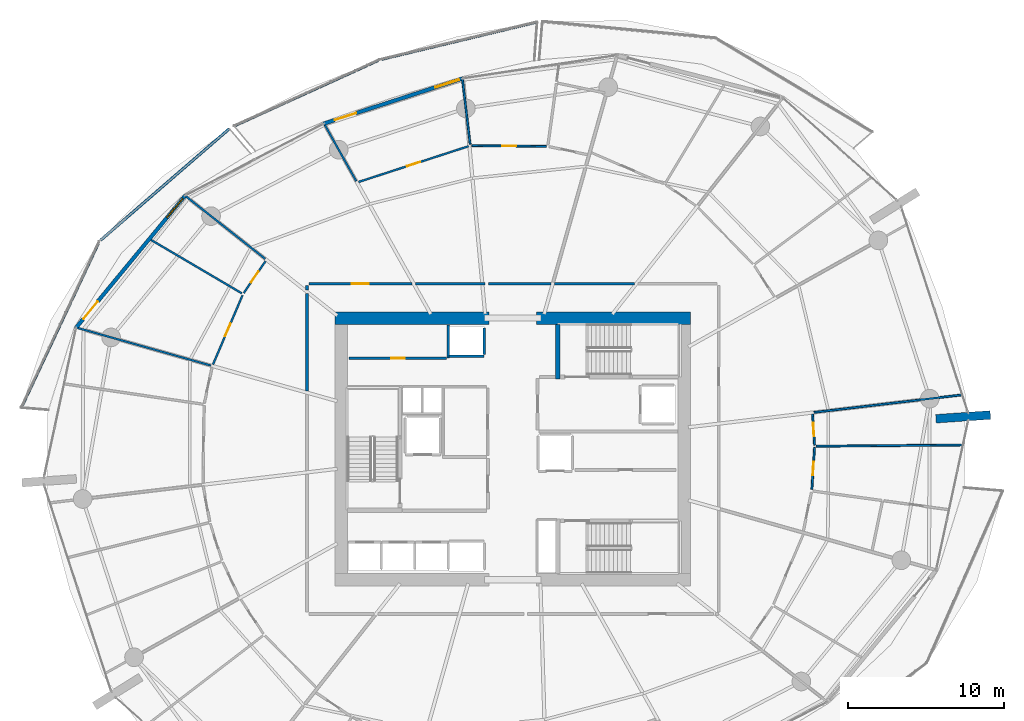
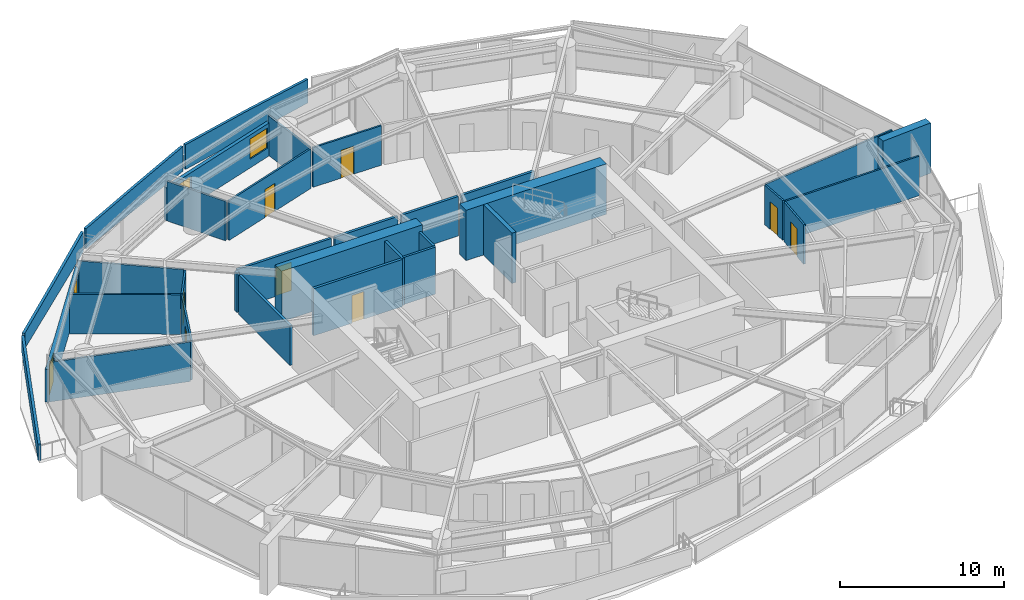
# One storey, part 14 of 22: 33 walls, 10 doors, 2 windows, 12 openings.
"""IFC4 building model written with IfcOpenShell, lengths in metres."""

from ifc_helpers import new_model, si_unit, direction, frame, frame_2d, origin, place, context, subcontext, project, spatial, polyline, rectangle, outline, extrude, material, layer, layer_set, type_object, element, fill, save


model = new_model("IFC4")

# Units and contexts
model_context = context("Model", 3, precision=1e-05, world=origin(), true_north=direction((0.0, 1.0)))
body_context = subcontext(model_context, "Body", "Model", "MODEL_VIEW")
ifc_project = project(units=[si_unit("LENGTHUNIT", "METRE"), si_unit("AREAUNIT", "SQUARE_METRE"), si_unit("VOLUMEUNIT", "CUBIC_METRE"), si_unit("PLANEANGLEUNIT", "RADIAN"), si_unit("MASSUNIT", "GRAM", prefix="KILO")], contexts=[model_context])

# Site, building, storey
site_placement = place(None, origin())
site = spatial("IfcSite", under=ifc_project, at=site_placement, CompositionType="ELEMENT")
building_placement = place(site_placement, origin())
building = spatial("IfcBuilding", under=site, at=building_placement, Name="Kazma Halo Residences", CompositionType="ELEMENT")
storey_placement = place(building_placement, frame((0.0, 0.0, 90.14990234375)))
storey = spatial("IfcBuildingStorey", under=building, at=storey_placement, Name="L22", CompositionType="ELEMENT", Elevation=90.14990234375)

# Walls
ifc_material_1 = material(Name="White Concrete C50/60 Balustrade", Category="concrete")
ifc_layer_1 = layer(ifc_material_1, 0.179931640625)
ifc_layer_set_1 = layer_set([ifc_layer_1], Name="White Concrete C50/60 Balustrade")
wall_type_1 = type_object("IfcWallType", Name="WL-BAL-WAVE-180", PredefinedType="PARAPET", material=ifc_layer_set_1)
wall_1_placement = place(storey_placement, frame((49.989501953125, 69.418701171875, 0.0), z_axis=(0.0, 0.0, 1.0), x_axis=(-0.972484896486, -0.232965933359, 0.0)))
element("IfcWall", 1, at=wall_1_placement, inside=storey, type_object=wall_type_1, Name="L22 white wave balustrade wall NNW.1", PredefinedType="PARAPET", context=body_context, shape_type="SweptSolid", body=[
    extrude(outline(polyline([(0.0, 0.0), (10.27734375, 0.0), (10.27734375, 1.83203125), (5.138671875, 1.85302734375), (0.0, 1.756103515625), (0.0, 0.0)])), frame((0.0, 0.08984375, 0.0), z_axis=(0.0, -1.0, 0.0), x_axis=(1.0, 0.0, 0.0)), (0.0, 0.0, 1.0), 0.179931640625),
])
wall_2_placement = place(storey_placement, frame((39.76904296875, 66.946533203125, 0.0), z_axis=(0.0, 0.0, 1.0), x_axis=(-0.910226702808, -0.41411031078, 0.0)))
element("IfcWall", 2, at=wall_2_placement, inside=storey, type_object=wall_type_1, Name="L22 white wave balustrade wall NNW.2", PredefinedType="PARAPET", context=body_context, shape_type="SweptSolid", body=[
    extrude(outline(polyline([(0.0, 0.0), (10.1728515625, 0.0), (10.1728515625, 1.4970703125), (5.08642578125, 1.696044921875), (0.0, 1.83203125), (0.0, 0.0)])), frame((0.0, 0.08984375, 0.0), z_axis=(0.0, -1.0, 0.0), x_axis=(1.0, 0.0, 0.0)), (0.0, 0.0, 1.0), 0.179931640625),
])
wall_3_placement = place(storey_placement, frame((30.220458984375, 62.5615234375, 0.0), z_axis=(0.0, 0.0, 1.0), x_axis=(-0.756090126882, -0.654467508766, 0.0)))
element("IfcWall", 3, at=wall_3_placement, inside=storey, type_object=wall_type_1, Name="L22 white wave balustrade wall NW.1", PredefinedType="PARAPET", context=body_context, shape_type="SweptSolid", body=[
    extrude(outline(polyline([(0.0, 0.0), (10.943115234375, 0.0), (10.943115234375, 1.148193359375), (5.471435546875, 1.2841796875), (0.0, 1.483154296875), (0.0, 0.0)])), frame((0.0, 0.08984375, 0.0), z_axis=(0.0, -1.0, 0.0), x_axis=(1.0, 0.0, 0.0)), (0.0, 0.0, 1.0), 0.179931640625),
])
wall_4_placement = place(storey_placement, frame((21.804931640625, 55.21240234375, 0.0), z_axis=(0.0, 0.0, 1.0), x_axis=(-0.424200741769, -0.905568181134, 0.0)))
element("IfcWall", 4, at=wall_4_placement, inside=storey, type_object=wall_type_1, Name="L22 white wave balustrade wall NW.2", PredefinedType="PARAPET", context=body_context, shape_type="SweptSolid", body=[
    extrude(outline(polyline([(0.0, 0.0), (11.671875, 0.0), (11.671875, 1.22412109375), (5.8359375, 1.127197265625), (0.0, 1.148193359375), (0.0, 0.0)])), frame((0.0, 0.08984375, 0.0), z_axis=(0.0, -1.0, 0.0), x_axis=(1.0, 0.0, 0.0)), (0.0, 0.0, 1.0), 0.179931640625),
])
ifc_material_2 = material(Name="Pale Concrete C60/75", Category="concrete")
ifc_layer_2 = layer(ifc_material_2, 0.550048828125)
ifc_layer_set_2 = layer_set([ifc_layer_2], Name="Pale Concrete C60/75")
wall_type_2 = type_object("IfcWallType", Name="WL-BLADE-550", PredefinedType="SOLIDWALL", material=ifc_layer_set_2)
wall_5_placement = place(storey_placement, frame((75.606201171875, 43.930419921875, 0.0), z_axis=(0.0, 0.0, 1.0), x_axis=(0.997564163539, 0.069754853754, 0.0)))
element("IfcWall", 5, at=wall_5_placement, inside=storey, type_object=wall_type_2, Name="L22 pale concrete structural blade fin wall BW-04", PredefinedType="SOLIDWALL", context=body_context, shape_type="SweptSolid", body=[
    extrude(rectangle(XDim=3.5, YDim=0.550048828125, at=frame_2d((1.75, 0.0))), origin(), (0.0, 0.0, 1.0), 3.75),
])
ifc_material_3 = material(Name="Concrete C80/95", Category="concrete")
ifc_layer_3 = layer(ifc_material_3, 0.800048828125)
ifc_layer_set_3 = layer_set([ifc_layer_3], Name="Concrete C80/95")
wall_type_3 = type_object("IfcWallType", Name="WL-CORE-800", PredefinedType="SHEAR", material=ifc_layer_set_3)
wall_6_placement = place(storey_placement, frame((37.0, 50.39990234375, 0.0), z_axis=(0.0, 0.0, 1.0), x_axis=(1.0, 0.0, 0.0)))
element("IfcWall", 6, at=wall_6_placement, inside=storey, type_object=wall_type_3, Name="L22 central core shear wall NW", PredefinedType="SHEAR", context=body_context, shape_type="SweptSolid", body=[
    extrude(rectangle(XDim=9.89990234375, YDim=0.800048828125, at=frame_2d((4.949951171875, 0.0))), origin(), (0.0, 0.0, 1.0), 3.75),
])
wall_7_placement = place(storey_placement, frame((49.949951171875, 50.39990234375, 0.0), z_axis=(0.0, 0.0, 1.0), x_axis=(1.0, 0.0, 0.0)))
element("IfcWall", 7, at=wall_7_placement, inside=storey, type_object=wall_type_3, Name="L22 central core shear wall NE", PredefinedType="SHEAR", context=body_context, shape_type="SweptSolid", body=[
    extrude(rectangle(XDim=9.900146484375, YDim=0.800048828125, at=frame_2d((4.9501953125, 0.0))), origin(), (0.0, 0.0, 1.0), 3.75),
])
ifc_material_4 = material(Name="Concrete C60/75", Category="concrete")
ifc_layer_4 = layer(ifc_material_4, 0.280029296875)
ifc_layer_set_4 = layer_set([ifc_layer_4], Name="Concrete C60/75")
wall_type_4 = type_object("IfcWallType", Name="WL-CORE-ST-280", PredefinedType="SHEAR", material=ifc_layer_set_4)
wall_8_placement = place(storey_placement, frame((51.31005859375, 46.5, 0.0), z_axis=(0.0, 0.0, 1.0), x_axis=(0.0, 1.0, 0.0)))
element("IfcWall", 8, at=wall_8_placement, inside=storey, type_object=wall_type_4, Name="L22 stairwell bearing wall ST02-W", PredefinedType="SHEAR", context=body_context, shape_type="SweptSolid", body=[
    extrude(rectangle(XDim=3.5, YDim=0.280029296875, at=frame_2d((1.75, 0.0))), origin(), (0.0, 0.0, 1.0), 3.75),
])

# Wall, opening, door
ifc_material_5 = material(Name="Acoustic Twin-Stud Gypsum")
ifc_layer_5 = layer(ifc_material_5, 0.179931640625)
ifc_layer_set_5 = layer_set([ifc_layer_5], Name="Acoustic Twin-Stud Gypsum")
wall_type_5 = type_object("IfcWallType", Name="WL-DEM-180", PredefinedType="PARTITIONING", material=ifc_layer_set_5)
wall_9_placement = place(storey_placement, frame((41.943603515625, 52.60009765625, 0.0), z_axis=(0.0, 0.0, 1.0), x_axis=(-1.0, 0.0, 0.0)))
wall_9 = element("IfcWall", 9, at=wall_9_placement, inside=storey, type_object=wall_type_5, Name="L22 Apartment 1 entrance corridor wall", PredefinedType="PARTITIONING", context=body_context, shape_type="SweptSolid", body=[
    extrude(rectangle(XDim=6.62353515625, YDim=0.179931640625, at=frame_2d((3.311767578125, 0.0))), origin(), (0.0, 0.0, 1.0), 2.940185546875),
])
opening_1_placement = place(wall_9_placement, frame((2.76171875, 0.0, 0.0)))
opening_1 = element("IfcOpeningElement", 10, at=opening_1_placement, cuts=wall_9, Name="Opening DA-1100", PredefinedType="OPENING", context=body_context, shape_type="SweptSolid", body=[
    extrude(rectangle(XDim=1.10009765625, YDim=2.10009765625, at=frame_2d((0.550048828125, 1.050048828125))), frame((0.0, 0.099853515625, 0.0), z_axis=(0.0, -1.0, 0.0), x_axis=(1.0, 0.0, 0.0)), (0.0, 0.0, 1.0), 0.199951171875),
])
ifc_material_6 = material(Name="Acoustic Walnut Fire Leaf")
door_type_1 = type_object("IfcDoorType", Name="DR-FD60-1100", OperationType="NOTDEFINED", PredefinedType="DOOR", material=ifc_material_6)
door_1_placement = place(opening_1_placement, origin())
door_1 = element("IfcDoor", 11, at=door_1_placement, inside=storey, type_object=door_type_1, Name="L22 Apartment 1 entrance fire door", OperationType="SINGLE_SWING_RIGHT", OverallHeight=2.10009765625, OverallWidth=1.10009765625, PredefinedType="DOOR", context=body_context, shape_type="SweptSolid", body=[
    extrude(rectangle(XDim=1.10009765625, YDim=2.10009765625, at=frame_2d((0.550048828125, 1.050048828125))), frame((0.0, 0.02490234375, 0.0), z_axis=(0.0, -1.0, 0.0), x_axis=(1.0, 0.0, 0.0)), (0.0, 0.0, 1.0), 0.050048828125),
])
fill(opening_1, door_1)

# Walls
wall_10_placement = place(storey_placement, frame((35.199951171875, 52.47998046875, 0.0), z_axis=(0.0, 0.0, 1.0), x_axis=(0.0, -1.0, 0.0)))
element("IfcWall", 12, at=wall_10_placement, inside=storey, type_object=wall_type_5, Name="L22 Apartment 1 entrance corridor wall", PredefinedType="PARTITIONING", context=body_context, shape_type="SweptSolid", body=[
    extrude(rectangle(XDim=0.269287109375, YDim=0.179931640625, at=frame_2d((0.134765625, 0.0))), origin(), (0.0, 0.0, 1.0), 2.940185546875),
])
wall_11_placement = place(storey_placement, frame((50.869384765625, 52.60009765625, 0.0), z_axis=(0.0, 0.0, 1.0), x_axis=(-1.0, 0.0, 0.0)))
element("IfcWall", 13, at=wall_11_placement, inside=storey, type_object=wall_type_5, Name="L22 Apartment 1 inner wall 2", PredefinedType="PARTITIONING", context=body_context, shape_type="SweptSolid", body=[
    extrude(rectangle(XDim=4.00390625, YDim=0.179931640625, at=frame_2d((2.001953125, 0.0))), origin(), (0.0, 0.0, 1.0), 2.940185546875),
])
wall_12_placement = place(storey_placement, frame((46.62548828125, 52.60009765625, 0.0), z_axis=(0.0, 0.0, 1.0), x_axis=(-1.0, 0.0, 0.0)))
element("IfcWall", 14, at=wall_12_placement, inside=storey, type_object=wall_type_5, Name="L22 Apartment 1 inner wall 3", PredefinedType="PARTITIONING", context=body_context, shape_type="SweptSolid", body=[
    extrude(rectangle(XDim=4.44189453125, YDim=0.179931640625, at=frame_2d((2.220947265625, 0.0))), origin(), (0.0, 0.0, 1.0), 2.940185546875),
])
wall_13_placement = place(storey_placement, frame((35.199951171875, 51.970703125, 0.0), z_axis=(0.0, 0.0, 1.0), x_axis=(0.0, -1.0, 0.0)))
element("IfcWall", 15, at=wall_13_placement, inside=storey, type_object=wall_type_5, Name="L22 Apartment 1 inner wall 5", PredefinedType="PARTITIONING", context=body_context, shape_type="SweptSolid", body=[
    extrude(rectangle(XDim=6.24072265625, YDim=0.179931640625, at=frame_2d((3.120361328125, 0.0))), origin(), (0.0, 0.0, 1.0), 2.940185546875),
])
wall_14_placement = place(storey_placement, frame((56.236328125, 52.60009765625, 0.0), z_axis=(0.0, 0.0, 1.0), x_axis=(-1.0, 0.0, 0.0)))
element("IfcWall", 16, at=wall_14_placement, inside=storey, type_object=wall_type_5, Name="L22 Apartment 3 inner wall 1", PredefinedType="PARTITIONING", context=body_context, shape_type="SweptSolid", body=[
    extrude(rectangle(XDim=5.126708984375, YDim=0.179931640625, at=frame_2d((2.5634765625, 0.0))), origin(), (0.0, 0.0, 1.0), 2.940185546875),
])

# Wall, openings, door, window
ifc_material_7 = material(Name="Insulated Pale-Metal Composite Wall")
ifc_layer_6 = layer(ifc_material_7, 0.239990234375)
ifc_layer_set_6 = layer_set([ifc_layer_6], Name="Insulated Pale-Metal Composite Wall")
wall_type_6 = type_object("IfcWallType", Name="WL-EXT-HOST-240", PredefinedType="SOLIDWALL", material=ifc_layer_set_6)
wall_15_placement = place(storey_placement, frame((45.23291015625, 65.797119140625, 0.0), z_axis=(0.0, 0.0, 1.0), x_axis=(-0.951052494852, -0.30902937083, 0.0)))
wall_15 = element("IfcWall", 17, at=wall_15_placement, inside=storey, type_object=wall_type_6, Name="L22 exterior terrace-access wall B04", PredefinedType="SOLIDWALL", context=body_context, shape_type="SweptSolid", body=[
    extrude(rectangle(XDim=9.44384765625, YDim=0.239990234375, at=frame_2d((4.721923828125, 0.0))), origin(), (0.0, 0.0, 1.0), 2.4501953125),
])
opening_2_placement = place(wall_15_placement, frame((7.223876953125, 0.0, 0.0)))
opening_2 = element("IfcOpeningElement", 18, at=opening_2_placement, cuts=wall_15, Name="Opening DTR-1600", PredefinedType="OPENING", context=body_context, shape_type="SweptSolid", body=[
    extrude(rectangle(XDim=1.449951171875, YDim=2.14990234375, at=frame_2d((0.72509765625, 1.074951171875))), frame((0.0, 0.1298828125, 0.0), z_axis=(0.0, -1.0, 0.0), x_axis=(1.0, 0.0, 0.0)), (0.0, 0.0, 1.0), 0.260009765625),
])
opening_3_placement = place(wall_15_placement, frame((0.280029296875, 0.0, 0.64990234375)))
opening_3 = element("IfcOpeningElement", 19, at=opening_3_placement, cuts=wall_15, Name="Opening W-1800", PredefinedType="OPENING", context=body_context, shape_type="SweptSolid", body=[
    extrude(rectangle(XDim=1.60009765625, YDim=1.5, at=frame_2d((0.800048828125, 0.75))), frame((0.0, 0.1298828125, 0.0), z_axis=(0.0, -1.0, 0.0), x_axis=(1.0, 0.0, 0.0)), (0.0, 0.0, 1.0), 0.260009765625),
])
ifc_material_8 = material(Name="Aluminium AW-6063 T6 Double-Glazed Terrace Door", Category="aluminium")
door_type_2 = type_object("IfcDoorType", Name="DR-EXT-TERR-1600", OperationType="NOTDEFINED", PredefinedType="DOOR", material=ifc_material_8)
door_2_placement = place(opening_2_placement, origin())
door_2 = element("IfcDoor", 20, at=door_2_placement, inside=storey, type_object=door_type_2, Name="L22 B04 balcony terrace door", OperationType="DOUBLE_DOOR_SLIDING", OverallHeight=2.14990234375, OverallWidth=1.449951171875, PredefinedType="DOOR", context=body_context, shape_type="SweptSolid", body=[
    extrude(rectangle(XDim=1.449951171875, YDim=2.14990234375, at=frame_2d((0.72509765625, 1.074951171875))), frame((0.0, 0.02490234375, 0.0), z_axis=(0.0, -1.0, 0.0), x_axis=(1.0, 0.0, 0.0)), (0.0, 0.0, 1.0), 0.050048828125),
])
fill(opening_2, door_2)
ifc_material_9 = material(Name="Clear Triple-Silver Low-E Glass in Aluminium AW-6063 T6 Frame", Category="aluminium")
window_type = type_object("IfcWindowType", Name="WIN-RES-1800", PartitioningType="DOUBLE_PANEL_VERTICAL", PredefinedType="WINDOW", material=ifc_material_9)
window_1_placement = place(opening_3_placement, origin())
window_1 = element("IfcWindow", 21, at=window_1_placement, inside=storey, type_object=window_type, Name="L22 B04 apartment window", OverallHeight=1.5, OverallWidth=1.60009765625, PartitioningType="SINGLE_PANEL", PredefinedType="WINDOW", context=body_context, shape_type="SweptSolid", body=[
    extrude(rectangle(XDim=1.60009765625, YDim=1.5, at=frame_2d((0.800048828125, 0.75))), frame((0.0, 0.030029296875, 0.0), z_axis=(0.0, -1.0, 0.0), x_axis=(1.0, 0.0, 0.0)), (0.0, 0.0, 1.0), 0.06005859375),
])
fill(opening_3, window_1)

wall_16_placement = place(storey_placement, frame((27.406982421875, 58.2978515625, 0.0), z_axis=(0.0, 0.0, 1.0), x_axis=(-0.636704975, -0.771107498868, 0.0)))
wall_16 = element("IfcWall", 22, at=wall_16_placement, inside=storey, type_object=wall_type_6, Name="L22 exterior terrace-access wall B06", PredefinedType="SOLIDWALL", context=body_context, shape_type="SweptSolid", body=[
    extrude(rectangle(XDim=11.084228515625, YDim=0.239990234375, at=frame_2d((5.5419921875, 0.0))), origin(), (0.0, 0.0, 1.0), 2.4501953125),
])
opening_4_placement = place(wall_16_placement, frame((8.8642578125, 0.0, 0.0)))
opening_4 = element("IfcOpeningElement", 23, at=opening_4_placement, cuts=wall_16, Name="Opening DTR-1600", PredefinedType="OPENING", context=body_context, shape_type="SweptSolid", body=[
    extrude(rectangle(XDim=1.449951171875, YDim=2.14990234375, at=frame_2d((0.72509765625, 1.074951171875))), frame((0.0, 0.1298828125, 0.0), z_axis=(0.0, -1.0, 0.0), x_axis=(1.0, 0.0, 0.0)), (0.0, 0.0, 1.0), 0.260009765625),
])
opening_5_placement = place(wall_16_placement, frame((0.280029296875, 0.0, 0.64990234375)))
opening_5 = element("IfcOpeningElement", 24, at=opening_5_placement, cuts=wall_16, Name="Opening W-1800", PredefinedType="OPENING", context=body_context, shape_type="SweptSolid", body=[
    extrude(rectangle(XDim=1.60009765625, YDim=1.5, at=frame_2d((0.800048828125, 0.75))), frame((0.0, 0.1298828125, 0.0), z_axis=(0.0, -1.0, 0.0), x_axis=(1.0, 0.0, 0.0)), (0.0, 0.0, 1.0), 0.260009765625),
])
door_3_placement = place(opening_4_placement, origin())
door_3 = element("IfcDoor", 25, at=door_3_placement, inside=storey, type_object=door_type_2, Name="L22 B06 balcony terrace door", OperationType="DOUBLE_DOOR_SLIDING", OverallHeight=2.14990234375, OverallWidth=1.449951171875, PredefinedType="DOOR", context=body_context, shape_type="SweptSolid", body=[
    extrude(rectangle(XDim=1.449951171875, YDim=2.14990234375, at=frame_2d((0.72509765625, 1.074951171875))), frame((0.0, 0.02490234375, 0.0), z_axis=(0.0, -1.0, 0.0), x_axis=(1.0, 0.0, 0.0)), (0.0, 0.0, 1.0), 0.050048828125),
])
fill(opening_4, door_3)
window_2_placement = place(opening_5_placement, origin())
window_2 = element("IfcWindow", 26, at=window_2_placement, inside=storey, type_object=window_type, Name="L22 B06 apartment window", OverallHeight=1.5, OverallWidth=1.60009765625, PartitioningType="SINGLE_PANEL", PredefinedType="WINDOW", context=body_context, shape_type="SweptSolid", body=[
    extrude(rectangle(XDim=1.60009765625, YDim=1.5, at=frame_2d((0.800048828125, 0.75))), frame((0.0, 0.030029296875, 0.0), z_axis=(0.0, -1.0, 0.0), x_axis=(1.0, 0.0, 0.0)), (0.0, 0.0, 1.0), 0.06005859375),
])
fill(opening_5, window_2)

# Walls
ifc_material_10 = material(Name="Fire-Rated Blockwork Masonry", Category="masonry")
ifc_layer_7 = layer(ifc_material_10, 0.199951171875)
ifc_layer_set_7 = layer_set([ifc_layer_7], Name="Fire-Rated Blockwork Masonry")
wall_type_7 = type_object("IfcWallType", Name="WL-FLB-200", PredefinedType="PARTITIONING", material=ifc_layer_set_7)
wall_17_placement = place(storey_placement, frame((46.580078125, 47.945068359375, 0.0), z_axis=(0.0, 0.0, 1.0), x_axis=(-1.0, 0.0, 0.0)))
element("IfcWall", 27, at=wall_17_placement, inside=storey, type_object=wall_type_7, Name="L22 lift shaft PX-01 front wall", PredefinedType="PARTITIONING", context=body_context, shape_type="SweptSolid", body=[
    extrude(rectangle(XDim=2.260009765625, YDim=0.159912109375, at=frame_2d((1.1298828125, 0.0))), origin(), (0.0, 0.0, 1.0), 3.5),
])
wall_18_placement = place(storey_placement, frame((46.580078125, 48.044921875, 0.0), z_axis=(0.0, 0.0, 1.0), x_axis=(0.0, 1.0, 0.0)))
element("IfcWall", 28, at=wall_18_placement, inside=storey, type_object=wall_type_7, Name="L22 lift shaft PX-01 side wall E", PredefinedType="PARTITIONING", context=body_context, shape_type="SweptSolid", body=[
    extrude(rectangle(XDim=1.7099609375, YDim=0.159912109375, at=frame_2d((0.85498046875, 0.0))), origin(), (0.0, 0.0, 1.0), 3.5),
])

# Wall, opening, door
wall_19_placement = place(storey_placement, frame((37.919921875, 47.820068359375, 0.0), z_axis=(0.0, 0.0, 1.0), x_axis=(1.0, 0.0, 0.0)))
wall_19 = element("IfcWall", 29, at=wall_19_placement, inside=storey, type_object=wall_type_7, Name="L22 core north reserve wall", PredefinedType="PARTITIONING", context=body_context, shape_type="SweptSolid", body=[
    extrude(rectangle(XDim=6.260009765625, YDim=0.179931640625, at=frame_2d((3.1298828125, 0.0))), origin(), (0.0, 0.0, 1.0), 3.5),
])
opening_6_placement = place(wall_19_placement, frame((2.705078125, 0.0, 0.0)))
opening_6 = element("IfcOpeningElement", 30, at=opening_6_placement, cuts=wall_19, Name="Opening DS-850", PredefinedType="OPENING", context=body_context, shape_type="SweptSolid", body=[
    extrude(rectangle(XDim=0.85009765625, YDim=2.06005859375, at=frame_2d((0.425048828125, 1.030029296875))), frame((0.0, 0.099853515625, 0.0), z_axis=(0.0, -1.0, 0.0), x_axis=(1.0, 0.0, 0.0)), (0.0, 0.0, 1.0), 0.199951171875),
])
ifc_material_11 = material(Name="Painted Steel Access Leaf", Category="steel")
door_type_3 = type_object("IfcDoorType", Name="DR-SVC-850", OperationType="NOTDEFINED", PredefinedType="DOOR", material=ifc_material_11)
door_4_placement = place(opening_6_placement, origin())
door_4 = element("IfcDoor", 31, at=door_4_placement, inside=storey, type_object=door_type_3, Name="L22 core north reserve door", OperationType="SINGLE_SWING_RIGHT", OverallHeight=2.06005859375, OverallWidth=0.85009765625, PredefinedType="DOOR", context=body_context, shape_type="SweptSolid", body=[
    extrude(rectangle(XDim=0.85009765625, YDim=2.06005859375, at=frame_2d((0.425048828125, 1.030029296875))), frame((0.0, 0.02490234375, 0.0), z_axis=(0.0, -1.0, 0.0), x_axis=(1.0, 0.0, 0.0)), (0.0, 0.0, 1.0), 0.050048828125),
])
fill(opening_6, door_4)

# Wall
wall_20_placement = place(storey_placement, frame((44.280029296875, 47.820068359375, 0.0), z_axis=(0.0, 0.0, 1.0), x_axis=(0.0, 1.0, 0.0)))
element("IfcWall", 32, at=wall_20_placement, inside=storey, type_object=wall_type_7, Name="L22 PX-01 hoistway west wall", PredefinedType="PARTITIONING", context=body_context, shape_type="SweptSolid", body=[
    extrude(rectangle(XDim=2.1298828125, YDim=0.179931640625, at=frame_2d((1.06494140625, 0.0))), origin(), (0.0, 0.0, 1.0), 3.5),
])

# Wall, opening, door
ifc_material_12 = material(Name="Gypsum Plasterboard Partition")
ifc_layer_8 = layer(ifc_material_12, 0.125)
ifc_layer_set_8 = layer_set([ifc_layer_8], Name="Gypsum Plasterboard Partition")
wall_type_8 = type_object("IfcWallType", Name="WL-PART-125", PredefinedType="PARTITIONING", material=ifc_layer_set_8)
wall_21_placement = place(storey_placement, frame((50.581298828125, 61.427001953125, 0.0), z_axis=(0.0, 0.0, 1.0), x_axis=(-0.999955475908, 0.009436429455, 0.0)))
wall_21 = element("IfcWall", 33, at=wall_21_placement, inside=storey, type_object=wall_type_8, Name="L22 Apartment 1 Gourmet Kitchen hall wall", PredefinedType="PARTITIONING", context=body_context, shape_type="SweptSolid", body=[
    extrude(rectangle(XDim=4.786376953125, YDim=0.125, at=frame_2d((2.39306640625, 0.0))), origin(), (0.0, 0.0, 1.0), 2.940185546875),
])
opening_7_placement = place(wall_21_placement, frame((1.943115234375, 0.0, 0.0)))
opening_7 = element("IfcOpeningElement", 34, at=opening_7_placement, cuts=wall_21, Name="Opening DI-950", PredefinedType="OPENING", context=body_context, shape_type="SweptSolid", body=[
    extrude(rectangle(XDim=0.89990234375, YDim=2.080078125, at=frame_2d((0.449951171875, 1.0400390625))), frame((0.0, 0.072509765625, 0.0), z_axis=(0.0, -1.0, 0.0), x_axis=(1.0, 0.0, 0.0)), (0.0, 0.0, 1.0), 0.14501953125),
])
ifc_material_13 = material(Name="Timber Veneer Flush Leaf", Category="wood")
door_type_4 = type_object("IfcDoorType", Name="DR-INT-950", OperationType="NOTDEFINED", PredefinedType="DOOR", material=ifc_material_13)
door_5_placement = place(opening_7_placement, origin())
door_5 = element("IfcDoor", 35, at=door_5_placement, inside=storey, type_object=door_type_4, Name="L22 Apartment 1 Gourmet Kitchen door", OperationType="SINGLE_SWING_LEFT", OverallHeight=2.080078125, OverallWidth=0.89990234375, PredefinedType="DOOR", context=body_context, shape_type="SweptSolid", body=[
    extrude(rectangle(XDim=0.89990234375, YDim=2.080078125, at=frame_2d((0.449951171875, 1.0400390625))), frame((0.0, 0.02490234375, 0.0), z_axis=(0.0, -1.0, 0.0), x_axis=(1.0, 0.0, 0.0)), (0.0, 0.0, 1.0), 0.050048828125),
])
fill(opening_7, door_5)

# Walls
wall_22_placement = place(storey_placement, frame((45.683349609375, 61.572509765625, 0.0), z_axis=(0.0, 0.0, 1.0), x_axis=(-0.117513626782, 0.993071270111, 0.0)))
element("IfcWall", 36, at=wall_22_placement, inside=storey, type_object=wall_type_8, Name="L22 Apartment 1 radial partition 3", PredefinedType="PARTITIONING", context=body_context, shape_type="SweptSolid", body=[
    extrude(rectangle(XDim=4.21337890625, YDim=0.125, at=frame_2d((2.106689453125, 0.0))), origin(), (0.0, 0.0, 1.0), 2.940185546875),
])
wall_23_placement = place(storey_placement, frame((38.36962890625, 59.196044921875, 0.0), z_axis=(0.0, 0.0, 1.0), x_axis=(-0.488603368932, 0.87250601595, 0.0)))
element("IfcWall", 37, at=wall_23_placement, inside=storey, type_object=wall_type_8, Name="L22 Apartment 1 living radial partition 3", PredefinedType="PARTITIONING", context=body_context, shape_type="SweptSolid", body=[
    extrude(rectangle(XDim=4.11328125, YDim=0.125, at=frame_2d((2.056640625, 0.0))), origin(), (0.0, 0.0, 1.0), 2.940185546875),
])

# Wall, opening, door
wall_24_placement = place(storey_placement, frame((45.590576171875, 61.439208984375, 0.0), z_axis=(0.0, 0.0, 1.0), x_axis=(-0.95105434732, -0.309023669714, 0.0)))
wall_24 = element("IfcWall", 38, at=wall_24_placement, inside=storey, type_object=wall_type_8, Name="L22 Apartment 1 East Formal Dining Room gallery wall", PredefinedType="PARTITIONING", context=body_context, shape_type="SweptSolid", body=[
    extrude(rectangle(XDim=7.43115234375, YDim=0.125, at=frame_2d((3.715576171875, 0.0))), origin(), (0.0, 0.0, 1.0), 2.940185546875),
])
opening_8_placement = place(wall_24_placement, frame((3.265380859375, 0.0, 0.0)))
opening_8 = element("IfcOpeningElement", 39, at=opening_8_placement, cuts=wall_24, Name="Opening DI-950", PredefinedType="OPENING", context=body_context, shape_type="SweptSolid", body=[
    extrude(rectangle(XDim=0.89990234375, YDim=2.080078125, at=frame_2d((0.449951171875, 1.0400390625))), frame((0.0, 0.072509765625, 0.0), z_axis=(0.0, -1.0, 0.0), x_axis=(1.0, 0.0, 0.0)), (0.0, 0.0, 1.0), 0.14501953125),
])
door_6_placement = place(opening_8_placement, origin())
door_6 = element("IfcDoor", 40, at=door_6_placement, inside=storey, type_object=door_type_4, Name="L22 Apartment 1 East Formal Dining Room door", OperationType="SINGLE_SWING_RIGHT", OverallHeight=2.080078125, OverallWidth=0.89990234375, PredefinedType="DOOR", context=body_context, shape_type="SweptSolid", body=[
    extrude(rectangle(XDim=0.89990234375, YDim=2.080078125, at=frame_2d((0.449951171875, 1.0400390625))), frame((0.0, 0.02490234375, 0.0), z_axis=(0.0, -1.0, 0.0), x_axis=(1.0, 0.0, 0.0)), (0.0, 0.0, 1.0), 0.050048828125),
])
fill(opening_8, door_6)

# Walls
wall_25_placement = place(storey_placement, frame((32.522216796875, 54.20166015625, 0.0), z_axis=(0.0, 0.0, 1.0), x_axis=(-0.785296086335, 0.619120389574, 0.0)))
element("IfcWall", 41, at=wall_25_placement, inside=storey, type_object=wall_type_8, Name="L22 Apartment 1 radial partition 5", PredefinedType="PARTITIONING", context=body_context, shape_type="SweptSolid", body=[
    extrude(rectangle(XDim=6.529052734375, YDim=0.125, at=frame_2d((3.2646484375, 0.0))), origin(), (0.0, 0.0, 1.0), 2.940185546875),
])
wall_26_placement = place(storey_placement, frame((31.0205078125, 51.987548828125, 0.0), z_axis=(0.0, 0.0, 1.0), x_axis=(-0.86191844443, 0.507046935846, 0.0)))
element("IfcWall", 42, at=wall_26_placement, inside=storey, type_object=wall_type_8, Name="L22 Apartment 1 mid-bay wall 5", PredefinedType="PARTITIONING", context=body_context, shape_type="SweptSolid", body=[
    extrude(rectangle(XDim=6.765380859375, YDim=0.125, at=frame_2d((3.3828125, 0.0))), origin(), (0.0, 0.0, 1.0), 2.940185546875),
])

# Wall, opening, door
wall_27_placement = place(storey_placement, frame((32.544189453125, 54.05712890625, 0.0), z_axis=(0.0, 0.0, 1.0), x_axis=(-0.564377111566, -0.825517096092, 0.0)))
wall_27 = element("IfcWall", 43, at=wall_27_placement, inside=storey, type_object=wall_type_8, Name="L22 Apartment 1 West Dressing Wardrobe hall wall", PredefinedType="PARTITIONING", context=body_context, shape_type="SweptSolid", body=[
    extrude(rectangle(XDim=2.482177734375, YDim=0.125, at=frame_2d((1.2412109375, 0.0))), origin(), (0.0, 0.0, 1.0), 2.940185546875),
])
opening_9_placement = place(wall_27_placement, frame((0.816162109375, 0.0, 0.0)))
opening_9 = element("IfcOpeningElement", 44, at=opening_9_placement, cuts=wall_27, Name="Opening DB-900", PredefinedType="OPENING", context=body_context, shape_type="SweptSolid", body=[
    extrude(rectangle(XDim=0.85009765625, YDim=2.06005859375, at=frame_2d((0.425048828125, 1.030029296875))), frame((0.0, 0.072509765625, 0.0), z_axis=(0.0, -1.0, 0.0), x_axis=(1.0, 0.0, 0.0)), (0.0, 0.0, 1.0), 0.14501953125),
])
ifc_material_14 = material(Name="Moisture-Sealed Timber Leaf", Category="wood")
door_type_5 = type_object("IfcDoorType", Name="DR-BTH-900", OperationType="NOTDEFINED", PredefinedType="DOOR", material=ifc_material_14)
door_7_placement = place(opening_9_placement, origin())
door_7 = element("IfcDoor", 45, at=door_7_placement, inside=storey, type_object=door_type_5, Name="L22 Apartment 1 West Dressing Wardrobe door", OperationType="SINGLE_SWING_RIGHT", OverallHeight=2.06005859375, OverallWidth=0.85009765625, PredefinedType="DOOR", context=body_context, shape_type="SweptSolid", body=[
    extrude(rectangle(XDim=0.85009765625, YDim=2.06005859375, at=frame_2d((0.425048828125, 1.030029296875))), frame((0.0, 0.02490234375, 0.0), z_axis=(0.0, -1.0, 0.0), x_axis=(1.0, 0.0, 0.0)), (0.0, 0.0, 1.0), 0.050048828125),
])
fill(opening_9, door_7)

wall_28_placement = place(storey_placement, frame((31.06689453125, 51.868408203125, 0.0), z_axis=(0.0, 0.0, 1.0), x_axis=(-0.392470533914, -0.919764578579, 0.0)))
wall_28 = element("IfcWall", 46, at=wall_28_placement, inside=storey, type_object=wall_type_8, Name="L22 Apartment 1 North Master Bedroom hall wall", PredefinedType="PARTITIONING", context=body_context, shape_type="SweptSolid", body=[
    extrude(rectangle(XDim=4.842041015625, YDim=0.125, at=frame_2d((2.4208984375, 0.0))), origin(), (0.0, 0.0, 1.0), 2.940185546875),
])
opening_10_placement = place(wall_28_placement, frame((1.97119140625, 0.0, 0.0)))
opening_10 = element("IfcOpeningElement", 47, at=opening_10_placement, cuts=wall_28, Name="Opening DI-950", PredefinedType="OPENING", context=body_context, shape_type="SweptSolid", body=[
    extrude(rectangle(XDim=0.89990234375, YDim=2.080078125, at=frame_2d((0.449951171875, 1.0400390625))), frame((0.0, 0.072509765625, 0.0), z_axis=(0.0, -1.0, 0.0), x_axis=(1.0, 0.0, 0.0)), (0.0, 0.0, 1.0), 0.14501953125),
])
door_8_placement = place(opening_10_placement, origin())
door_8 = element("IfcDoor", 48, at=door_8_placement, inside=storey, type_object=door_type_4, Name="L22 Apartment 1 North Master Bedroom door", OperationType="SINGLE_SWING_LEFT", OverallHeight=2.080078125, OverallWidth=0.89990234375, PredefinedType="DOOR", context=body_context, shape_type="SweptSolid", body=[
    extrude(rectangle(XDim=0.89990234375, YDim=2.080078125, at=frame_2d((0.449951171875, 1.0400390625))), frame((0.0, 0.02490234375, 0.0), z_axis=(0.0, -1.0, 0.0), x_axis=(1.0, 0.0, 0.0)), (0.0, 0.0, 1.0), 0.050048828125),
])
fill(opening_10, door_8)

# Walls
wall_29_placement = place(storey_placement, frame((29.031005859375, 47.349853515625, 0.0), z_axis=(0.0, 0.0, 1.0), x_axis=(-0.962455027906, 0.271441189317, 0.0)))
element("IfcWall", 49, at=wall_29_placement, inside=storey, type_object=wall_type_8, Name="L22 Apartment 1 radial partition 6", PredefinedType="PARTITIONING", context=body_context, shape_type="SweptSolid", body=[
    extrude(rectangle(XDim=8.862060546875, YDim=0.125, at=frame_2d((4.43115234375, 0.0))), origin(), (0.0, 0.0, 1.0), 2.940185546875),
])
wall_30_placement = place(storey_placement, frame((67.77392578125, 44.340576171875, 0.0), z_axis=(0.0, 0.0, 1.0), x_axis=(0.993071471329, 0.117511926341, 0.0)))
element("IfcWall", 50, at=wall_30_placement, inside=storey, type_object=wall_type_8, Name="L22 Apartment 3 living radial partition 14", PredefinedType="PARTITIONING", context=body_context, shape_type="SweptSolid", body=[
    extrude(rectangle(XDim=9.5673828125, YDim=0.125, at=frame_2d((4.78369140625, 0.0))), origin(), (0.0, 0.0, 1.0), 2.940185546875),
])
wall_31_placement = place(storey_placement, frame((67.9013671875, 42.1669921875, 0.0), z_axis=(0.0, 0.0, 1.0), x_axis=(0.999964927596, 0.008375176238, 0.0)))
element("IfcWall", 51, at=wall_31_placement, inside=storey, type_object=wall_type_8, Name="L22 Apartment 3 suite divider 14", PredefinedType="PARTITIONING", context=body_context, shape_type="SweptSolid", body=[
    extrude(rectangle(XDim=9.41552734375, YDim=0.125, at=frame_2d((4.707763671875, 0.0))), origin(), (0.0, 0.0, 1.0), 2.940185546875),
])

# Wall, opening, door
wall_32_placement = place(storey_placement, frame((67.633056640625, 39.390625, 0.0), z_axis=(0.0, 0.0, 1.0), x_axis=(0.064077427582, 0.997944929981, 0.0)))
wall_32 = element("IfcWall", 52, at=wall_32_placement, inside=storey, type_object=wall_type_8, Name="L22 Apartment 3 Gourmet Kitchen hall wall", PredefinedType="PARTITIONING", context=body_context, shape_type="SweptSolid", body=[
    extrude(rectangle(XDim=2.701416015625, YDim=0.125, at=frame_2d((1.3505859375, 0.0))), origin(), (0.0, 0.0, 1.0), 2.940185546875),
])
opening_11_placement = place(wall_32_placement, frame((0.925537109375, 0.0, 0.0)))
opening_11 = element("IfcOpeningElement", 53, at=opening_11_placement, cuts=wall_32, Name="Opening DB-900", PredefinedType="OPENING", context=body_context, shape_type="SweptSolid", body=[
    extrude(rectangle(XDim=0.85009765625, YDim=2.06005859375, at=frame_2d((0.425048828125, 1.030029296875))), frame((0.0, 0.072509765625, 0.0), z_axis=(0.0, -1.0, 0.0), x_axis=(1.0, 0.0, 0.0)), (0.0, 0.0, 1.0), 0.14501953125),
])
door_9_placement = place(opening_11_placement, origin())
door_9 = element("IfcDoor", 54, at=door_9_placement, inside=storey, type_object=door_type_5, Name="L22 Apartment 3 Gourmet Kitchen door", OperationType="SINGLE_SWING_LEFT", OverallHeight=2.06005859375, OverallWidth=0.85009765625, PredefinedType="DOOR", context=body_context, shape_type="SweptSolid", body=[
    extrude(rectangle(XDim=0.85009765625, YDim=2.06005859375, at=frame_2d((0.425048828125, 1.030029296875))), frame((0.0, 0.02490234375, 0.0), z_axis=(0.0, -1.0, 0.0), x_axis=(1.0, 0.0, 0.0)), (0.0, 0.0, 1.0), 0.050048828125),
])
fill(opening_11, door_9)

wall_33_placement = place(storey_placement, frame((67.806396484375, 42.24609375, 0.0), z_axis=(0.0, 0.0, 1.0), x_axis=(-0.06315855722, 0.998003505329, 0.0)))
wall_33 = element("IfcWall", 55, at=wall_33_placement, inside=storey, type_object=wall_type_8, Name="L22 Apartment 3 Primary Bedroom hall wall", PredefinedType="PARTITIONING", context=body_context, shape_type="SweptSolid", body=[
    extrude(rectangle(XDim=1.98681640625, YDim=0.125, at=frame_2d((0.993408203125, 0.0))), origin(), (0.0, 0.0, 1.0), 2.940185546875),
])
opening_12_placement = place(wall_33_placement, frame((0.568359375, 0.0, 0.0)))
opening_12 = element("IfcOpeningElement", 56, at=opening_12_placement, cuts=wall_33, Name="Opening DB-900", PredefinedType="OPENING", context=body_context, shape_type="SweptSolid", body=[
    extrude(rectangle(XDim=0.85009765625, YDim=2.06005859375, at=frame_2d((0.425048828125, 1.030029296875))), frame((0.0, 0.072509765625, 0.0), z_axis=(0.0, -1.0, 0.0), x_axis=(1.0, 0.0, 0.0)), (0.0, 0.0, 1.0), 0.14501953125),
])
door_10_placement = place(opening_12_placement, origin())
door_10 = element("IfcDoor", 57, at=door_10_placement, inside=storey, type_object=door_type_5, Name="L22 Apartment 3 Primary Bedroom door", OperationType="SINGLE_SWING_RIGHT", OverallHeight=2.06005859375, OverallWidth=0.85009765625, PredefinedType="DOOR", context=body_context, shape_type="SweptSolid", body=[
    extrude(rectangle(XDim=0.85009765625, YDim=2.06005859375, at=frame_2d((0.425048828125, 1.030029296875))), frame((0.0, 0.02490234375, 0.0), z_axis=(0.0, -1.0, 0.0), x_axis=(1.0, 0.0, 0.0)), (0.0, 0.0, 1.0), 0.050048828125),
])
fill(opening_12, door_10)

save(model, "model.ifc")
